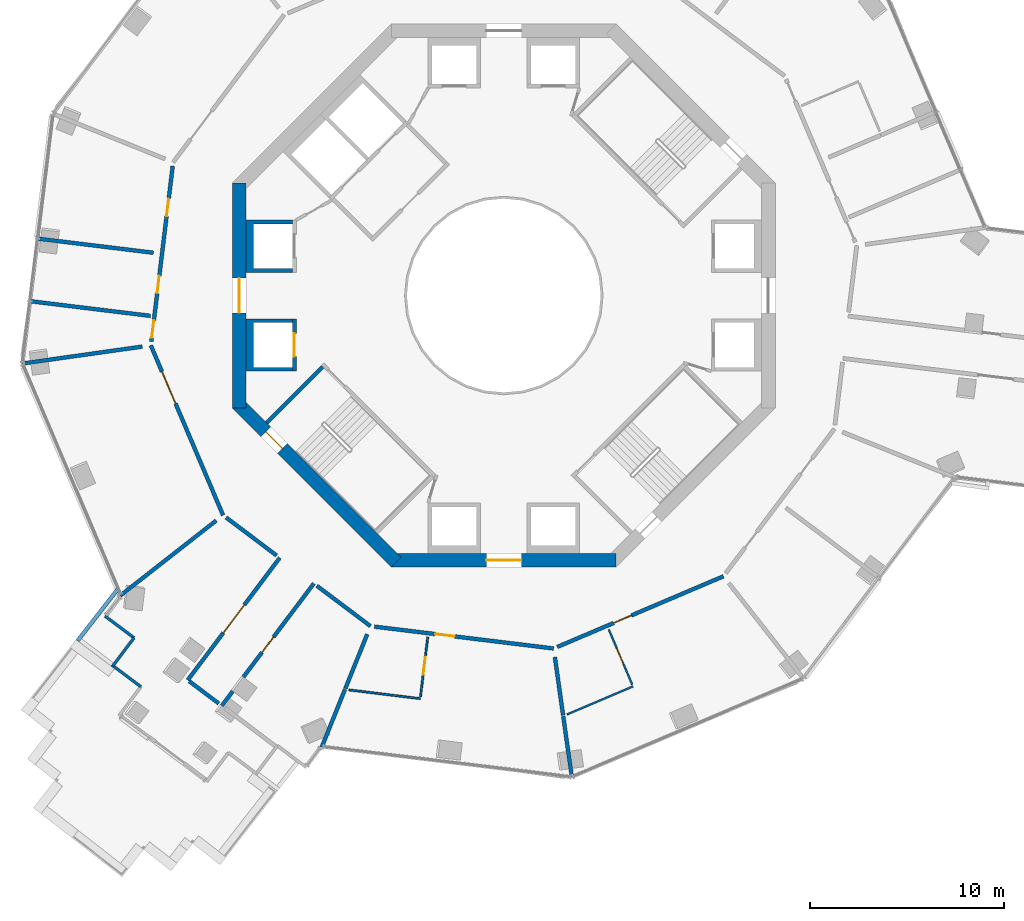
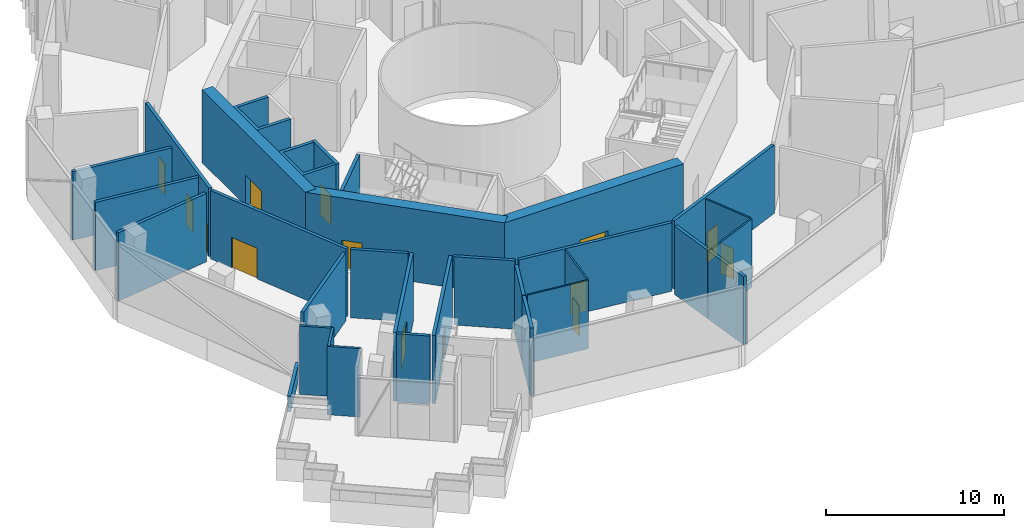
# One storey, part 8 of 17: 32 walls, 14 doors, 14 openings.
"""IFC4 building model written with IfcOpenShell, lengths in metres."""

from ifc_helpers import new_model, si_unit, direction, frame, frame_2d, origin, place, context, subcontext, project, spatial, polyline, rectangle, outline, extrude, material, layer, layer_set, type_object, element, fill, save


model = new_model("IFC4")

# Units and contexts
model_context = context("Model", 3, precision=1e-05, world=origin(), true_north=direction((0.0, 1.0)))
body_context = subcontext(model_context, "Body", "Model", "MODEL_VIEW")
ifc_project = project(units=[si_unit("LENGTHUNIT", "METRE"), si_unit("AREAUNIT", "SQUARE_METRE"), si_unit("VOLUMEUNIT", "CUBIC_METRE"), si_unit("PLANEANGLEUNIT", "RADIAN"), si_unit("MASSUNIT", "GRAM", prefix="KILO")], contexts=[model_context])

# Site, building, storey
site_placement = place(None, origin())
site = spatial("IfcSite", under=ifc_project, at=site_placement, CompositionType="ELEMENT")
building_placement = place(site_placement, origin())
building = spatial("IfcBuilding", under=site, at=building_placement, Name="Verdalira Terraces Hotel", CompositionType="ELEMENT")
storey_placement = place(building_placement, frame((0.0, 0.0, 128.0)))
storey = spatial("IfcBuildingStorey", under=building, at=storey_placement, Name="L30", CompositionType="ELEMENT", Elevation=128.0)

# Wall
ifc_material_1 = material(Name="Moisture-resistant gypsum board partition")
ifc_layer_1 = layer(ifc_material_1, 0.10009765625)
ifc_layer_set_1 = layer_set([ifc_layer_1], Name="Bathroom partition 100 mm")
wall_type_1 = type_object("IfcWallType", Name="Bathroom partition 100 mm", PredefinedType="PARTITIONING", material=ifc_layer_set_1)
wall_1_placement = place(storey_placement, frame((-4.309326, -20.789307, 0.0), z_axis=(0.0, 0.0, 1.0), x_axis=(-0.992633702, 0.121154176, 0.0)))
element("IfcWall", 1, at=wall_1_placement, inside=storey, type_object=wall_type_1, Name="Bathroom partition", PredefinedType="PARTITIONING", context=body_context, shape_type="SweptSolid", body=[
    extrude(rectangle(XDim=3.703857, YDim=0.100098, at=frame_2d((1.852051, 0.0))), origin(), (0.0, 0.0, 1.0), 4.689941),
])

# Wall, opening, door
wall_2_placement = place(storey_placement, frame((-4.297119, -20.690186, 0.0), z_axis=(0.0, 0.0, 1.0), x_axis=(0.121194423, 0.992628789, 0.0)))
wall_2 = element("IfcWall", 2, at=wall_2_placement, inside=storey, type_object=wall_type_1, Name="Bathroom partition", PredefinedType="PARTITIONING", context=body_context, shape_type="SweptSolid", body=[
    extrude(rectangle(XDim=3.100342, YDim=0.100098, at=frame_2d((1.550293, 0.0))), origin(), (0.0, 0.0, 1.0), 4.689941),
])
opening_1_placement = place(wall_2_placement, frame((1.149902, 0.0, 0.0)))
opening_1 = element("IfcOpeningElement", 3, at=opening_1_placement, cuts=wall_2, Name="Opening L30-109", PredefinedType="OPENING", context=body_context, shape_type="SweptSolid", body=[
    extrude(rectangle(XDim=0.899902, YDim=2.100098, at=frame_2d((0.449951, 1.050049))), frame((0.0, 0.060059, 0.0), z_axis=(0.0, -1.0, 0.0), x_axis=(1.0, 0.0, 0.0)), (0.0, 0.0, 1.0), 0.120117),
])
ifc_material_2 = material(Name="Timber door", Category="wood")
door_type_1 = type_object("IfcDoorType", Name="Bathroom door 900 x 2100", OperationType="NOTDEFINED", PredefinedType="DOOR", material=ifc_material_2)
door_1_placement = place(opening_1_placement, origin())
door_1 = element("IfcDoor", 4, at=door_1_placement, inside=storey, type_object=door_type_1, Name="Bathroom door 3008", OperationType="SINGLE_SWING_LEFT", OverallHeight=2.10009765625, OverallWidth=0.89990234375, PredefinedType="DOOR", context=body_context, shape_type="SweptSolid", body=[
    extrude(rectangle(XDim=0.899902, YDim=2.100098, at=frame_2d((0.449951, 1.050049))), frame((0.0, 0.024902, 0.0), z_axis=(0.0, -1.0, 0.0), x_axis=(1.0, 0.0, 0.0)), (0.0, 0.0, 1.0), 0.050049),
])
fill(opening_1, door_1)

# Wall
wall_3_placement = place(storey_placement, frame((6.662598, -20.158691, 0.0), z_axis=(0.0, 0.0, 1.0), x_axis=(-0.920222329, -0.391396046, 0.0)))
element("IfcWall", 5, at=wall_3_placement, inside=storey, type_object=wall_type_1, Name="Bathroom partition", PredefinedType="PARTITIONING", context=body_context, shape_type="SweptSolid", body=[
    extrude(rectangle(XDim=3.703857, YDim=0.100098, at=frame_2d((1.852051, 0.0))), origin(), (0.0, 0.0, 1.0), 4.689941),
])

# Wall, opening, door
wall_4_placement = place(storey_placement, frame((6.623535, -20.06665, 0.0), z_axis=(0.0, 0.0, 1.0), x_axis=(-0.391360775, 0.92023733, 0.0)))
wall_4 = element("IfcWall", 6, at=wall_4_placement, inside=storey, type_object=wall_type_1, Name="Bathroom partition", PredefinedType="PARTITIONING", context=body_context, shape_type="SweptSolid", body=[
    extrude(rectangle(XDim=3.099854, YDim=0.100098, at=frame_2d((1.549805, 0.0))), origin(), (0.0, 0.0, 1.0), 4.689941),
])
opening_2_placement = place(wall_4_placement, frame((1.149902, 0.0, 0.0)))
opening_2 = element("IfcOpeningElement", 7, at=opening_2_placement, cuts=wall_4, Name="Opening L30-111", PredefinedType="OPENING", context=body_context, shape_type="SweptSolid", body=[
    extrude(rectangle(XDim=0.899902, YDim=2.100098, at=frame_2d((0.449951, 1.050049))), frame((0.0, 0.060059, 0.0), z_axis=(0.0, -1.0, 0.0), x_axis=(1.0, 0.0, 0.0)), (0.0, 0.0, 1.0), 0.120117),
])
door_2_placement = place(opening_2_placement, origin())
door_2 = element("IfcDoor", 8, at=door_2_placement, inside=storey, type_object=door_type_1, Name="Bathroom door 3009", OperationType="SINGLE_SWING_LEFT", OverallHeight=2.10009765625, OverallWidth=0.89990234375, PredefinedType="DOOR", context=body_context, shape_type="SweptSolid", body=[
    extrude(rectangle(XDim=0.899902, YDim=2.100098, at=frame_2d((0.449951, 1.050049))), frame((0.0, 0.024902, 0.0), z_axis=(0.0, -1.0, 0.0), x_axis=(1.0, 0.0, 0.0)), (0.0, 0.0, 1.0), 0.050049),
])
fill(opening_2, door_2)

# Walls
ifc_material_3 = material(Name="Concrete C50", Category="concrete")
ifc_layer_2 = layer(ifc_material_3, 0.199951171875)
ifc_layer_set_2 = layer_set([ifc_layer_2], Name="Core RC wall 200 C50")
wall_type_2 = type_object("IfcWallType", Name="Core RC wall 200 C50", PredefinedType="SOLIDWALL", material=ifc_layer_set_2)
wall_5_placement = place(storey_placement, origin())
element("IfcWall", 9, at=wall_5_placement, inside=storey, type_object=wall_type_2, Name="L30 shaft wall W1", PredefinedType="SOLIDWALL", context=body_context, shape_type="SweptSolid", body=[
    extrude(outline(polyline([(-13.300049, 3.899902), (-10.899902, 3.899902), (-10.899902, 3.699951), (-12.899902, 3.699951), (-12.899902, 1.399902), (-10.899902, 1.399902), (-10.899902, 1.199951), (-13.300049, 1.199951), (-13.300049, 3.899902)])), origin(), (0.0, 0.0, 1.0), 4.689941),
])
wall_6_placement = place(storey_placement, origin())
element("IfcWall", 10, at=wall_6_placement, inside=storey, type_object=wall_type_2, Name="L30 shaft wall W2", PredefinedType="SOLIDWALL", context=body_context, shape_type="SweptSolid", body=[
    extrude(outline(polyline([(-13.300049, -3.899902), (-13.300049, -1.199951), (-10.899902, -1.199951), (-10.899902, -1.399902), (-12.899902, -1.399902), (-12.899902, -3.699951), (-10.899902, -3.699951), (-10.899902, -3.899902), (-13.300049, -3.899902)])), origin(), (0.0, 0.0, 1.0), 4.689941),
])

# Wall, opening, door
wall_7_placement = place(storey_placement, frame((-10.800049, -1.199951, 0.0), z_axis=(0.0, 0.0, 1.0), x_axis=(0.0, -1.0, 0.0)))
wall_7 = element("IfcWall", 11, at=wall_7_placement, inside=storey, type_object=wall_type_2, Name="L30 shaft front wall W2", PredefinedType="SOLIDWALL", context=body_context, shape_type="SweptSolid", body=[
    extrude(rectangle(XDim=2.699951, YDim=0.199951, at=frame_2d((1.350098, 0.0))), origin(), (0.0, 0.0, 1.0), 4.689941),
])
opening_3_placement = place(wall_7_placement, frame((0.75, 0.0, 0.0)))
opening_3 = element("IfcOpeningElement", 12, at=opening_3_placement, cuts=wall_7, Name="Opening LD-L30-806", PredefinedType="OPENING", context=body_context, shape_type="SweptSolid", body=[
    extrude(rectangle(XDim=1.199951, YDim=2.100098, at=frame_2d((0.600098, 1.050049))), frame((0.0, 0.109863, 0.0), z_axis=(0.0, -1.0, 0.0), x_axis=(1.0, 0.0, 0.0)), (0.0, 0.0, 1.0), 0.219971),
])
ifc_material_4 = material(Name="Stainless steel", Category="steel")
door_type_2 = type_object("IfcDoorType", Name="Landing door 1200 x 2100", OperationType="NOTDEFINED", PredefinedType="DOOR", material=ifc_material_4)
door_3_placement = place(opening_3_placement, origin())
door_3 = element("IfcDoor", 13, at=door_3_placement, inside=storey, type_object=door_type_2, Name="Lift landing door LR6 L30", OperationType="DOUBLE_DOOR_SLIDING", OverallHeight=2.10009765625, OverallWidth=1.199951171875, PredefinedType="DOOR", context=body_context, shape_type="SweptSolid", body=[
    extrude(rectangle(XDim=1.199951, YDim=2.100098, at=frame_2d((0.600098, 1.050049))), frame((0.0, 0.024902, 0.0), z_axis=(0.0, -1.0, 0.0), x_axis=(1.0, 0.0, 0.0)), (0.0, 0.0, 1.0), 0.050049),
])
fill(opening_3, door_3)

# Wall
wall_8_placement = place(storey_placement, frame((-9.33374, -3.677002, 0.0), z_axis=(0.0, 0.0, 1.0), x_axis=(-0.707106781, -0.707106781, 0.0)))
element("IfcWall", 14, at=wall_8_placement, inside=storey, type_object=wall_type_2, Name="L30 stair ST2 end wall 1", PredefinedType="SOLIDWALL", context=body_context, shape_type="SweptSolid", body=[
    extrude(rectangle(XDim=4.100098, YDim=0.199951, at=frame_2d((2.050049, 0.0))), origin(), (0.0, 0.0, 1.0), 4.689941),
])

# Wall, opening, door
ifc_material_5 = material(Name="Concrete C60", Category="concrete")
ifc_layer_3 = layer(ifc_material_5, 0.699951171875)
ifc_layer_set_3 = layer_set([ifc_layer_3], Name="Core wall 700 C60")
wall_type_3 = type_object("IfcWallType", Name="Core wall 700 C60", PredefinedType="SHEAR", material=ifc_layer_set_3)
wall_9_placement = place(storey_placement, frame((-13.649902, 5.799072, 0.0), z_axis=(0.0, 0.0, 1.0), x_axis=(0.0, -1.0, 0.0)))
wall_9 = element("IfcWall", 15, at=wall_9_placement, inside=storey, type_object=wall_type_3, Name="Core wall CW-L30-5", PredefinedType="SHEAR", context=body_context, shape_type="SweptSolid", body=[
    extrude(rectangle(XDim=11.598145, YDim=0.699951, at=frame_2d((5.799072, 0.0))), origin(), (0.0, 0.0, 1.0), 5.0),
])
opening_4_placement = place(wall_9_placement, frame((4.898926, 0.0, 0.0)))
opening_4 = element("IfcOpeningElement", 16, at=opening_4_placement, cuts=wall_9, Name="Opening L30-814", PredefinedType="OPENING", context=body_context, shape_type="SweptSolid", body=[
    extrude(rectangle(XDim=1.800049, YDim=2.100098, at=frame_2d((0.899902, 1.050049))), frame((0.0, 0.359863, 0.0), z_axis=(0.0, -1.0, 0.0), x_axis=(1.0, 0.0, 0.0)), (0.0, 0.0, 1.0), 0.719971),
])
ifc_material_6 = material(Name="Steel fire door", Category="steel")
door_type_3 = type_object("IfcDoorType", Name="Core entry door pair 1800 x 2100", OperationType="NOTDEFINED", PredefinedType="DOOR", material=ifc_material_6)
door_4_placement = place(opening_4_placement, origin())
door_4 = element("IfcDoor", 17, at=door_4_placement, inside=storey, type_object=door_type_3, Name="Core entry door L30 4", OperationType="DOUBLE_DOOR_SINGLE_SWING", OverallHeight=2.10009765625, OverallWidth=1.800048828125, PredefinedType="DOOR", context=body_context, shape_type="SweptSolid", body=[
    extrude(rectangle(XDim=1.800049, YDim=2.100098, at=frame_2d((0.899902, 1.050049))), frame((0.0, 0.024902, 0.0), z_axis=(0.0, -1.0, 0.0), x_axis=(1.0, 0.0, 0.0)), (0.0, 0.0, 1.0), 0.050049),
])
fill(opening_4, door_4)

wall_10_placement = place(storey_placement, frame((-13.752441, -5.551514, 0.0), z_axis=(0.0, 0.0, 1.0), x_axis=(0.707106781, -0.707106781, 0.0)))
wall_10 = element("IfcWall", 18, at=wall_10_placement, inside=storey, type_object=wall_type_3, Name="Core wall CW-L30-6", PredefinedType="SHEAR", context=body_context, shape_type="SweptSolid", body=[
    extrude(rectangle(XDim=11.5979, YDim=0.699951, at=frame_2d((5.798828, 0.0))), origin(), (0.0, 0.0, 1.0), 5.0),
])
opening_5_placement = place(wall_10_placement, frame((2.099121, 0.0, 0.0)))
opening_5 = element("IfcOpeningElement", 19, at=opening_5_placement, cuts=wall_10, Name="Opening L30-817", PredefinedType="OPENING", context=body_context, shape_type="SweptSolid", body=[
    extrude(rectangle(XDim=1.199951, YDim=2.100098, at=frame_2d((0.600098, 1.050049))), frame((0.0, 0.359863, 0.0), z_axis=(0.0, -1.0, 0.0), x_axis=(1.0, 0.0, 0.0)), (0.0, 0.0, 1.0), 0.719971),
])
ifc_material_7 = material(Name="Steel fire door", Category="steel")
door_type_4 = type_object("IfcDoorType", Name="Stair door 1200 x 2100", OperationType="NOTDEFINED", PredefinedType="DOOR", material=ifc_material_7)
door_5_placement = place(opening_5_placement, origin())
door_5 = element("IfcDoor", 20, at=door_5_placement, inside=storey, type_object=door_type_4, Name="Stair exit door ST2 L30", OperationType="SINGLE_SWING_LEFT", OverallHeight=2.10009765625, OverallWidth=1.199951171875, PredefinedType="DOOR", context=body_context, shape_type="SweptSolid", body=[
    extrude(rectangle(XDim=1.199951, YDim=2.100098, at=frame_2d((0.600098, 1.050049))), frame((0.0, 0.024902, 0.0), z_axis=(0.0, -1.0, 0.0), x_axis=(1.0, 0.0, 0.0)), (0.0, 0.0, 1.0), 0.050049),
])
fill(opening_5, door_5)

wall_11_placement = place(storey_placement, frame((-5.799072, -13.649902, 0.0), z_axis=(0.0, 0.0, 1.0), x_axis=(1.0, 0.0, 0.0)))
wall_11 = element("IfcWall", 21, at=wall_11_placement, inside=storey, type_object=wall_type_3, Name="Core wall CW-L30-7", PredefinedType="SHEAR", context=body_context, shape_type="SweptSolid", body=[
    extrude(rectangle(XDim=11.598145, YDim=0.699951, at=frame_2d((5.799072, 0.0))), origin(), (0.0, 0.0, 1.0), 5.0),
])
opening_6_placement = place(wall_11_placement, frame((4.898926, 0.0, 0.0)))
opening_6 = element("IfcOpeningElement", 22, at=opening_6_placement, cuts=wall_11, Name="Opening L30-815", PredefinedType="OPENING", context=body_context, shape_type="SweptSolid", body=[
    extrude(rectangle(XDim=1.800049, YDim=2.100098, at=frame_2d((0.899902, 1.050049))), frame((0.0, 0.359863, 0.0), z_axis=(0.0, -1.0, 0.0), x_axis=(1.0, 0.0, 0.0)), (0.0, 0.0, 1.0), 0.719971),
])
door_6_placement = place(opening_6_placement, origin())
door_6 = element("IfcDoor", 23, at=door_6_placement, inside=storey, type_object=door_type_3, Name="Core entry door L30 6", OperationType="DOUBLE_DOOR_SINGLE_SWING", OverallHeight=2.10009765625, OverallWidth=1.800048828125, PredefinedType="DOOR", context=body_context, shape_type="SweptSolid", body=[
    extrude(rectangle(XDim=1.800049, YDim=2.100098, at=frame_2d((0.899902, 1.050049))), frame((0.0, 0.024902, 0.0), z_axis=(0.0, -1.0, 0.0), x_axis=(1.0, 0.0, 0.0)), (0.0, 0.0, 1.0), 0.050049),
])
fill(opening_6, door_6)

# Walls
ifc_material_8 = material(Name="Fire-rated gypsum board wall")
ifc_layer_4 = layer(ifc_material_8, 0.199951171875)
ifc_layer_set_4 = layer_set([ifc_layer_4], Name="Demising wall 200 mm")
wall_type_4 = type_object("IfcWallType", Name="Demising wall 200 mm", PredefinedType="SOLIDWALL", material=ifc_layer_set_4)
wall_12_placement = place(storey_placement, frame((-14.831787, -11.604492, 0.0), z_axis=(0.0, 0.0, 1.0), x_axis=(-0.787572245, -0.61622233, 0.0)))
element("IfcWall", 24, at=wall_12_placement, inside=storey, type_object=wall_type_4, Name="Demising wall", PredefinedType="SOLIDWALL", context=body_context, shape_type="SweptSolid", body=[
    extrude(rectangle(XDim=6.281982, YDim=0.199951, at=frame_2d((3.141113, 0.0))), origin(), (0.0, 0.0, 1.0), 4.689941),
])
wall_13_placement = place(storey_placement, frame((-8.190674, -20.313477, 0.0), z_axis=(0.0, 0.0, 1.0), x_axis=(-0.373945133, -0.927450828, 0.0)))
element("IfcWall", 25, at=wall_13_placement, inside=storey, type_object=wall_type_4, Name="Demising wall", PredefinedType="SOLIDWALL", context=body_context, shape_type="SweptSolid", body=[
    extrude(rectangle(XDim=3.211426, YDim=0.199951, at=frame_2d((1.605713, 0.0))), origin(), (0.0, 0.0, 1.0), 4.689941),
])
for number, where, z_axis, x_axis, name in (
    (26, (-7.04248, -17.46582, 0.0), (0.0, 0.0, 1.0), (-0.373963856, -0.927443278, 0.0), "Demising wall"),
    (27, (2.633789, -18.646973, 0.0), (0.0, 0.0, 1.0), (0.139884315, -0.990167854, 0.0), "Demising wall"),
):
    element("IfcWall", number, at=place(storey_placement, frame(where, z_axis=z_axis, x_axis=x_axis)), inside=storey, type_object=wall_type_4, Name=name, PredefinedType="SOLIDWALL", context=body_context, shape_type="SweptSolid", body=[
        extrude(rectangle(XDim=3.024658, YDim=0.199951, at=frame_2d((1.512207, 0.0))), origin(), (0.0, 0.0, 1.0), 4.689941),
    ])
wall_14_placement = place(storey_placement, frame((3.063477, -21.6875, 0.0), z_axis=(0.0, 0.0, 1.0), x_axis=(0.139888495, -0.990167263, 0.0)))
element("IfcWall", 28, at=wall_14_placement, inside=storey, type_object=wall_type_4, Name="Demising wall", PredefinedType="SOLIDWALL", context=body_context, shape_type="SweptSolid", body=[
    extrude(rectangle(XDim=3.211182, YDim=0.199951, at=frame_2d((1.605469, 0.0))), origin(), (0.0, 0.0, 1.0), 4.689941),
])

# Wall, openings, doors
ifc_material_9 = material(Name="Fire-rated gypsum board wall")
ifc_layer_5 = layer(ifc_material_9, 0.199951171875)
ifc_layer_set_5 = layer_set([ifc_layer_5], Name="Guest corridor wall 200 mm")
wall_type_5 = type_object("IfcWallType", Name="Guest corridor wall 200 mm", PredefinedType="SOLIDWALL", material=ifc_layer_set_5)
wall_15_placement = place(storey_placement, frame((-18.179688, -2.372803, 0.0), z_axis=(0.0, 0.0, 1.0), x_axis=(0.12115349, 0.992633785, 0.0)))
wall_15 = element("IfcWall", 29, at=wall_15_placement, inside=storey, type_object=wall_type_5, Name="Guest corridor wall", PredefinedType="SOLIDWALL", context=body_context, shape_type="SweptSolid", body=[
    extrude(rectangle(XDim=9.116455, YDim=0.199951, at=frame_2d((4.558105, 0.0))), origin(), (0.0, 0.0, 1.0), 4.689941),
])
opening_7_placement = place(wall_15_placement, frame((6.508301, 0.0, 0.0)))
opening_7 = element("IfcOpeningElement", 30, at=opening_7_placement, cuts=wall_15, Name="Opening L30-104", PredefinedType="OPENING", context=body_context, shape_type="SweptSolid", body=[
    extrude(rectangle(XDim=0.899902, YDim=2.100098, at=frame_2d((0.449951, 1.050049))), frame((0.0, 0.109863, 0.0), z_axis=(0.0, -1.0, 0.0), x_axis=(1.0, 0.0, 0.0)), (0.0, 0.0, 1.0), 0.219971),
])
opening_8_placement = place(wall_15_placement, frame((2.508301, 0.0, 0.0)))
opening_8 = element("IfcOpeningElement", 31, at=opening_8_placement, cuts=wall_15, Name="Opening L30-120", PredefinedType="OPENING", context=body_context, shape_type="SweptSolid", body=[
    extrude(rectangle(XDim=0.899902, YDim=2.100098, at=frame_2d((0.449951, 1.050049))), frame((0.0, 0.109863, 0.0), z_axis=(0.0, -1.0, 0.0), x_axis=(1.0, 0.0, 0.0)), (0.0, 0.0, 1.0), 0.219971),
])
opening_9_placement = place(wall_15_placement, frame((0.199951, 0.0, 0.0)))
opening_9 = element("IfcOpeningElement", 32, at=opening_9_placement, cuts=wall_15, Name="Opening L30-121", PredefinedType="OPENING", context=body_context, shape_type="SweptSolid", body=[
    extrude(rectangle(XDim=0.899902, YDim=2.100098, at=frame_2d((0.449951, 1.050049))), frame((0.0, 0.109863, 0.0), z_axis=(0.0, -1.0, 0.0), x_axis=(1.0, 0.0, 0.0)), (0.0, 0.0, 1.0), 0.219971),
])
ifc_material_10 = material(Name="Steel fire door", Category="steel")
door_type_5 = type_object("IfcDoorType", Name="Service room door 900 x 2100", OperationType="NOTDEFINED", PredefinedType="DOOR", material=ifc_material_10)
door_7_placement = place(opening_7_placement, origin())
door_7 = element("IfcDoor", 33, at=door_7_placement, inside=storey, type_object=door_type_5, Name="Service room door 3004", OperationType="SINGLE_SWING_LEFT", OverallHeight=2.10009765625, OverallWidth=0.89990234375, PredefinedType="DOOR", context=body_context, shape_type="SweptSolid", body=[
    extrude(rectangle(XDim=0.899902, YDim=2.100098, at=frame_2d((0.449951, 1.050049))), frame((0.0, 0.024902, 0.0), z_axis=(0.0, -1.0, 0.0), x_axis=(1.0, 0.0, 0.0)), (0.0, 0.0, 1.0), 0.050049),
])
fill(opening_7, door_7)
ifc_material_11 = material(Name="Timber fire door", Category="wood")
door_type_6 = type_object("IfcDoorType", Name="Toilet door 900 x 2100", OperationType="NOTDEFINED", PredefinedType="DOOR", material=ifc_material_11)
door_8_placement = place(opening_8_placement, origin())
door_8 = element("IfcDoor", 34, at=door_8_placement, inside=storey, type_object=door_type_6, Name="Toilet door 3016", OperationType="SINGLE_SWING_LEFT", OverallHeight=2.10009765625, OverallWidth=0.89990234375, PredefinedType="DOOR", context=body_context, shape_type="SweptSolid", body=[
    extrude(rectangle(XDim=0.899902, YDim=2.100098, at=frame_2d((0.449951, 1.050049))), frame((0.0, 0.024902, 0.0), z_axis=(0.0, -1.0, 0.0), x_axis=(1.0, 0.0, 0.0)), (0.0, 0.0, 1.0), 0.050049),
])
fill(opening_8, door_8)
door_9_placement = place(opening_9_placement, origin())
door_9 = element("IfcDoor", 35, at=door_9_placement, inside=storey, type_object=door_type_6, Name="Toilet door 3017", OperationType="SINGLE_SWING_LEFT", OverallHeight=2.10009765625, OverallWidth=0.89990234375, PredefinedType="DOOR", context=body_context, shape_type="SweptSolid", body=[
    extrude(rectangle(XDim=0.899902, YDim=2.100098, at=frame_2d((0.449951, 1.050049))), frame((0.0, 0.024902, 0.0), z_axis=(0.0, -1.0, 0.0), x_axis=(1.0, 0.0, 0.0)), (0.0, 0.0, 1.0), 0.050049),
])
fill(opening_9, door_9)

# Wall, opening, door
wall_16_placement = place(storey_placement, frame((-14.479492, -11.328857, 0.0), z_axis=(0.0, 0.0, 1.0), x_axis=(-0.391375845, 0.920230921, 0.0)))
wall_16 = element("IfcWall", 36, at=wall_16_placement, inside=storey, type_object=wall_type_5, Name="Guest corridor wall", PredefinedType="SOLIDWALL", context=body_context, shape_type="SweptSolid", body=[
    extrude(rectangle(XDim=9.516602, YDim=0.199951, at=frame_2d((4.758301, 0.0))), origin(), (0.0, 0.0, 1.0), 4.689941),
])
opening_10_placement = place(wall_16_placement, frame((6.25, 0.0, 0.0)))
opening_10 = element("IfcOpeningElement", 37, at=opening_10_placement, cuts=wall_16, Name="Opening L30-105", PredefinedType="OPENING", context=body_context, shape_type="SweptSolid", body=[
    extrude(rectangle(XDim=1.800049, YDim=2.100098, at=frame_2d((0.899902, 1.050049))), frame((0.0, 0.109863, 0.0), z_axis=(0.0, -1.0, 0.0), x_axis=(1.0, 0.0, 0.0)), (0.0, 0.0, 1.0), 0.219971),
])
ifc_material_12 = material(Name="Timber fire door", Category="wood")
door_type_7 = type_object("IfcDoorType", Name="Public room double door 1800 x 2100", OperationType="NOTDEFINED", PredefinedType="DOOR", material=ifc_material_12)
door_10_placement = place(opening_10_placement, origin())
door_10 = element("IfcDoor", 38, at=door_10_placement, inside=storey, type_object=door_type_7, Name="Public room double door 3005", OperationType="DOUBLE_DOOR_SINGLE_SWING", OverallHeight=2.10009765625, OverallWidth=1.800048828125, PredefinedType="DOOR", context=body_context, shape_type="SweptSolid", body=[
    extrude(rectangle(XDim=1.800049, YDim=2.100098, at=frame_2d((0.899902, 1.050049))), frame((0.0, 0.024902, 0.0), z_axis=(0.0, -1.0, 0.0), x_axis=(1.0, 0.0, 0.0)), (0.0, 0.0, 1.0), 0.050049),
])
fill(opening_10, door_10)

# Wall
wall_17_placement = place(storey_placement, frame((-16.219727, -19.895752, 0.0), z_axis=(0.0, 0.0, 1.0), x_axis=(0.79908936, -0.601212271, 0.0)))
element("IfcWall", 39, at=wall_17_placement, inside=storey, type_object=wall_type_5, Name="Guest corridor wall", PredefinedType="SOLIDWALL", context=body_context, shape_type="SweptSolid", body=[
    extrude(rectangle(XDim=1.900146, YDim=0.199951, at=frame_2d((0.950195, 0.0))), origin(), (0.0, 0.0, 1.0), 4.689941),
])

# Wall, opening, door
wall_18_placement = place(storey_placement, frame((-16.300049, -19.832764, 0.0), z_axis=(0.0, 0.0, 1.0), x_axis=(0.601256854, 0.799055815, 0.0)))
wall_18 = element("IfcWall", 40, at=wall_18_placement, inside=storey, type_object=wall_type_5, Name="Guest corridor wall", PredefinedType="SOLIDWALL", context=body_context, shape_type="SweptSolid", body=[
    extrude(rectangle(XDim=7.889648, YDim=0.199951, at=frame_2d((3.944824, 0.0))), origin(), (0.0, 0.0, 1.0), 4.689941),
])
opening_11_placement = place(wall_18_placement, frame((3.050049, 0.0, 0.0)))
opening_11 = element("IfcOpeningElement", 41, at=opening_11_placement, cuts=wall_18, Name="Opening L30-106", PredefinedType="OPENING", context=body_context, shape_type="SweptSolid", body=[
    extrude(rectangle(XDim=1.800049, YDim=2.100098, at=frame_2d((0.899902, 1.050049))), frame((0.0, 0.109863, 0.0), z_axis=(0.0, -1.0, 0.0), x_axis=(1.0, 0.0, 0.0)), (0.0, 0.0, 1.0), 0.219971),
])
door_11_placement = place(opening_11_placement, origin())
door_11 = element("IfcDoor", 42, at=door_11_placement, inside=storey, type_object=door_type_7, Name="Public room double door 3006", OperationType="DOUBLE_DOOR_SINGLE_SWING", OverallHeight=2.10009765625, OverallWidth=1.800048828125, PredefinedType="DOOR", context=body_context, shape_type="SweptSolid", body=[
    extrude(rectangle(XDim=1.800049, YDim=2.100098, at=frame_2d((0.899902, 1.050049))), frame((0.0, 0.024902, 0.0), z_axis=(0.0, -1.0, 0.0), x_axis=(1.0, 0.0, 0.0)), (0.0, 0.0, 1.0), 0.050049),
])
fill(opening_11, door_11)

# Wall
wall_19_placement = place(storey_placement, frame((-14.31958, -11.449219, 0.0), z_axis=(0.0, 0.0, 1.0), x_axis=(0.79906389, -0.601246123, 0.0)))
element("IfcWall", 43, at=wall_19_placement, inside=storey, type_object=wall_type_5, Name="Guest corridor wall", PredefinedType="SOLIDWALL", context=body_context, shape_type="SweptSolid", body=[
    extrude(rectangle(XDim=3.258301, YDim=0.199951, at=frame_2d((1.62915, 0.0))), origin(), (0.0, 0.0, 1.0), 4.689941),
])

# Wall, opening, door
wall_20_placement = place(storey_placement, frame((-9.79834, -14.851318, 0.0), z_axis=(0.0, 0.0, 1.0), x_axis=(-0.601266439, -0.799048603, 0.0)))
wall_20 = element("IfcWall", 44, at=wall_20_placement, inside=storey, type_object=wall_type_5, Name="Guest corridor wall", PredefinedType="SOLIDWALL", context=body_context, shape_type="SweptSolid", body=[
    extrude(rectangle(XDim=7.891357, YDim=0.199951, at=frame_2d((3.945801, 0.0))), origin(), (0.0, 0.0, 1.0), 4.689941),
])
opening_12_placement = place(wall_20_placement, frame((3.449951, 0.0, 0.0)))
opening_12 = element("IfcOpeningElement", 45, at=opening_12_placement, cuts=wall_20, Name="Opening L30-107", PredefinedType="OPENING", context=body_context, shape_type="SweptSolid", body=[
    extrude(rectangle(XDim=1.0, YDim=2.100098, at=frame_2d((0.5, 1.050049))), frame((0.0, 0.109863, 0.0), z_axis=(0.0, -1.0, 0.0), x_axis=(1.0, 0.0, 0.0)), (0.0, 0.0, 1.0), 0.219971),
])
ifc_material_13 = material(Name="Timber fire door", Category="wood")
door_type_8 = type_object("IfcDoorType", Name="Public room door 1000 x 2100", OperationType="NOTDEFINED", PredefinedType="DOOR", material=ifc_material_13)
door_12_placement = place(opening_12_placement, origin())
door_12 = element("IfcDoor", 46, at=door_12_placement, inside=storey, type_object=door_type_8, Name="Public room door 3007", OperationType="SINGLE_SWING_LEFT", OverallHeight=2.10009765625, OverallWidth=1.0, PredefinedType="DOOR", context=body_context, shape_type="SweptSolid", body=[
    extrude(rectangle(XDim=1.0, YDim=2.100098, at=frame_2d((0.5, 1.050049))), frame((0.0, 0.024902, 0.0), z_axis=(0.0, -1.0, 0.0), x_axis=(1.0, 0.0, 0.0)), (0.0, 0.0, 1.0), 0.050049),
])
fill(opening_12, door_12)

# Wall
wall_21_placement = place(storey_placement, frame((-9.638428, -14.97168, 0.0), z_axis=(0.0, 0.0, 1.0), x_axis=(0.799067096, -0.601241862, 0.0)))
element("IfcWall", 47, at=wall_21_placement, inside=storey, type_object=wall_type_5, Name="Guest corridor wall", PredefinedType="SOLIDWALL", context=body_context, shape_type="SweptSolid", body=[
    extrude(rectangle(XDim=3.458008, YDim=0.199951, at=frame_2d((1.729004, 0.0))), origin(), (0.0, 0.0, 1.0), 4.689941),
])

# Wall, opening, door
wall_22_placement = place(storey_placement, frame((2.571289, -18.204102, 0.0), z_axis=(0.0, 0.0, 1.0), x_axis=(-0.992631355, 0.121173404, 0.0)))
wall_22 = element("IfcWall", 48, at=wall_22_placement, inside=storey, type_object=wall_type_5, Name="Guest corridor wall", PredefinedType="SOLIDWALL", context=body_context, shape_type="SweptSolid", body=[
    extrude(rectangle(XDim=9.316406, YDim=0.199951, at=frame_2d((4.658203, 0.0))), origin(), (0.0, 0.0, 1.0), 4.689941),
])
opening_13_placement = place(wall_22_placement, frame((5.149902, 0.0, 0.0)))
opening_13 = element("IfcOpeningElement", 49, at=opening_13_placement, cuts=wall_22, Name="Opening L30-108", PredefinedType="OPENING", context=body_context, shape_type="SweptSolid", body=[
    extrude(rectangle(XDim=1.0, YDim=2.100098, at=frame_2d((0.5, 1.050049))), frame((0.0, 0.109863, 0.0), z_axis=(0.0, -1.0, 0.0), x_axis=(1.0, 0.0, 0.0)), (0.0, 0.0, 1.0), 0.219971),
])
ifc_material_14 = material(Name="Timber fire door", Category="wood")
door_type_9 = type_object("IfcDoorType", Name="Guest entry door 1000 x 2100", OperationType="NOTDEFINED", PredefinedType="DOOR", material=ifc_material_14)
door_13_placement = place(opening_13_placement, origin())
door_13 = element("IfcDoor", 50, at=door_13_placement, inside=storey, type_object=door_type_9, Name="Guest entry door 3008", OperationType="SINGLE_SWING_LEFT", OverallHeight=2.10009765625, OverallWidth=1.0, PredefinedType="DOOR", context=body_context, shape_type="SweptSolid", body=[
    extrude(rectangle(XDim=1.0, YDim=2.100098, at=frame_2d((0.5, 1.050049))), frame((0.0, 0.024902, 0.0), z_axis=(0.0, -1.0, 0.0), x_axis=(1.0, 0.0, 0.0)), (0.0, 0.0, 1.0), 0.050049),
])
fill(opening_13, door_13)

wall_23_placement = place(storey_placement, frame((11.328857, -14.479492, 0.0), z_axis=(0.0, 0.0, 1.0), x_axis=(-0.92022995, -0.391378127, 0.0)))
wall_23 = element("IfcWall", 51, at=wall_23_placement, inside=storey, type_object=wall_type_5, Name="Guest corridor wall", PredefinedType="SOLIDWALL", context=body_context, shape_type="SweptSolid", body=[
    extrude(rectangle(XDim=9.316406, YDim=0.199951, at=frame_2d((4.658203, 0.0))), origin(), (0.0, 0.0, 1.0), 4.689941),
])
opening_14_placement = place(wall_23_placement, frame((5.149902, 0.0, 0.0)))
opening_14 = element("IfcOpeningElement", 52, at=opening_14_placement, cuts=wall_23, Name="Opening L30-110", PredefinedType="OPENING", context=body_context, shape_type="SweptSolid", body=[
    extrude(rectangle(XDim=1.0, YDim=2.100098, at=frame_2d((0.5, 1.050049))), frame((0.0, 0.109863, 0.0), z_axis=(0.0, -1.0, 0.0), x_axis=(1.0, 0.0, 0.0)), (0.0, 0.0, 1.0), 0.219971),
])
door_14_placement = place(opening_14_placement, origin())
door_14 = element("IfcDoor", 53, at=door_14_placement, inside=storey, type_object=door_type_9, Name="Guest entry door 3009", OperationType="SINGLE_SWING_LEFT", OverallHeight=2.10009765625, OverallWidth=1.0, PredefinedType="DOOR", context=body_context, shape_type="SweptSolid", body=[
    extrude(rectangle(XDim=1.0, YDim=2.100098, at=frame_2d((0.5, 1.050049))), frame((0.0, 0.024902, 0.0), z_axis=(0.0, -1.0, 0.0), x_axis=(1.0, 0.0, 0.0)), (0.0, 0.0, 1.0), 0.050049),
])
fill(opening_14, door_14)

# Walls
ifc_material_15 = material(Name="Fire-rated gypsum board wall")
ifc_layer_6 = layer(ifc_material_15, 0.199951171875)
ifc_layer_set_6 = layer_set([ifc_layer_6], Name="Service room wall 200 mm")
wall_type_6 = type_object("IfcWallType", Name="Service room wall 200 mm", PredefinedType="SOLIDWALL", material=ifc_layer_set_6)
wall_24_placement = place(storey_placement, frame((-24.867188, -3.512695, 0.0), z_axis=(0.0, 0.0, 1.0), x_axis=(0.990164419, 0.139908623, 0.0)))
element("IfcWall", 54, at=wall_24_placement, inside=storey, type_object=wall_type_6, Name="Service room wall", PredefinedType="SOLIDWALL", context=body_context, shape_type="SweptSolid", body=[
    extrude(rectangle(XDim=6.281982, YDim=0.199951, at=frame_2d((3.141113, 0.0))), origin(), (0.0, 0.0, 1.0), 4.689941),
])
wall_25_placement = place(storey_placement, frame((-18.219727, -1.049805, 0.0), z_axis=(0.0, 0.0, 1.0), x_axis=(-0.992635539, 0.121139125, 0.0)))
element("IfcWall", 55, at=wall_25_placement, inside=storey, type_object=wall_type_6, Name="Service room wall", PredefinedType="SOLIDWALL", context=body_context, shape_type="SweptSolid", body=[
    extrude(rectangle(XDim=6.300049, YDim=0.199951, at=frame_2d((3.149902, 0.0))), origin(), (0.0, 0.0, 1.0), 4.689941),
])
wall_26_placement = place(storey_placement, frame((-18.071289, 2.206055, 0.0), z_axis=(0.0, 0.0, 1.0), x_axis=(-0.992632395, 0.121164881, 0.0)))
element("IfcWall", 56, at=wall_26_placement, inside=storey, type_object=wall_type_6, Name="Service room wall", PredefinedType="SOLIDWALL", context=body_context, shape_type="SweptSolid", body=[
    extrude(rectangle(XDim=6.052979, YDim=0.199951, at=frame_2d((3.026367, 0.0))), origin(), (0.0, 0.0, 1.0), 4.689941),
])
ifc_material_16 = material(Name="Terracotta cladding", Category="masonry")
ifc_layer_7 = layer(ifc_material_16, 0.199951171875)
ifc_layer_set_7 = layer_set([ifc_layer_7], Name="Terracotta clad parapet 200")
wall_type_7 = type_object("IfcWallType", Name="Terracotta clad parapet 200", PredefinedType="PARAPET", material=ifc_layer_set_7)
wall_27_placement = place(storey_placement, frame((-19.926514, -15.164307, 0.0), z_axis=(0.0, 0.0, 1.0), x_axis=(-0.61458232, -0.788852693, 0.0)))
element("IfcWall", 57, at=wall_27_placement, inside=storey, type_object=wall_type_7, Name="Terracotta clad parapet", PredefinedType="PARAPET", context=body_context, shape_type="SweptSolid", body=[
    extrude(rectangle(XDim=3.343994, YDim=0.199951, at=frame_2d((1.671875, 0.0))), origin(), (0.0, 0.0, 1.0), 1.100098),
])
ifc_material_17 = material(Name="Terracotta cladding", Category="masonry")
ifc_layer_8 = layer(ifc_material_17, 0.14990234375)
ifc_layer_set_8 = layer_set([ifc_layer_8], Name="Terracotta clad wall 150")
wall_type_8 = type_object("IfcWallType", Name="Terracotta clad wall 150", PredefinedType="SOLIDWALL", material=ifc_layer_set_8)
wall_28_placement = place(storey_placement, frame((-20.571045, -16.527588, 0.0), z_axis=(0.0, 0.0, 1.0), x_axis=(0.799045917, -0.601270009, 0.0)))
element("IfcWall", 58, at=wall_28_placement, inside=storey, type_object=wall_type_8, Name="Terracotta cladding wall", PredefinedType="SOLIDWALL", context=body_context, shape_type="SweptSolid", body=[
    extrude(rectangle(XDim=1.875, YDim=0.149902, at=frame_2d((0.9375, 0.0))), origin(), (0.0, 0.0, 1.0), 4.689941),
])
wall_29_placement = place(storey_placement, frame((-19.072754, -17.655029, 0.0), z_axis=(0.0, 0.0, 1.0), x_axis=(-0.601279647, -0.799038664, 0.0)))
element("IfcWall", 59, at=wall_29_placement, inside=storey, type_object=wall_type_8, Name="Terracotta cladding wall", PredefinedType="SOLIDWALL", context=body_context, shape_type="SweptSolid", body=[
    extrude(rectangle(XDim=1.800049, YDim=0.149902, at=frame_2d((0.899902, 0.0))), origin(), (0.0, 0.0, 1.0), 4.689941),
])
wall_30_placement = place(storey_placement, frame((-20.215088, -19.04834, 0.0), z_axis=(0.0, 0.0, 1.0), x_axis=(0.799108471, -0.601186869, 0.0)))
element("IfcWall", 60, at=wall_30_placement, inside=storey, type_object=wall_type_8, Name="Terracotta cladding wall", PredefinedType="SOLIDWALL", context=body_context, shape_type="SweptSolid", body=[
    extrude(rectangle(XDim=1.875, YDim=0.149902, at=frame_2d((0.9375, 0.0))), origin(), (0.0, 0.0, 1.0), 4.689941),
])

save(model, "model.ifc")
